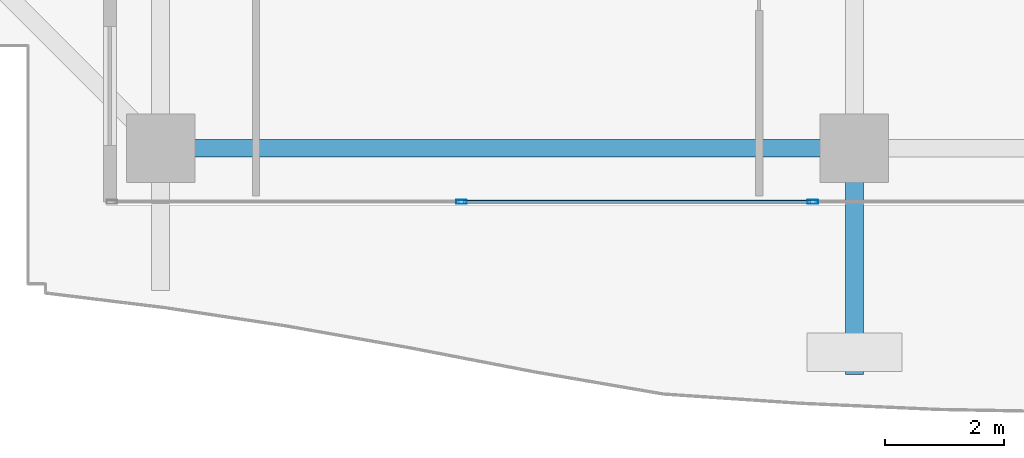
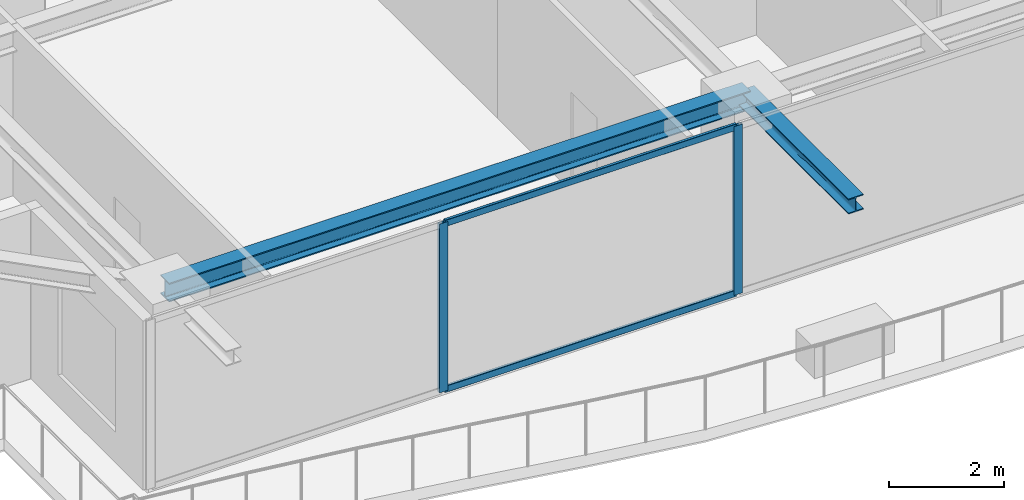
# One storey, part 5 of 36: 4 members, 2 beams, 1 element without a shape of its own.
"""IFC4 building model written with IfcOpenShell, lengths in metres."""

from ifc_helpers import new_model, si_unit, direction, frame, origin, origin_2d, place, context, subcontext, project, spatial, hollow_rectangle, i_section, extrude, source, transform, mapped, material, layer, layer_set, material_profile, profile_set, type_object, element, aggregate, save


model = new_model("IFC4")

# Units and contexts
model_context = context("Model", 3, precision=1e-05, world=origin(), true_north=direction((0.0, 1.0)))
body_context = subcontext(model_context, "Body", "Model", "MODEL_VIEW")
ifc_project = project(units=[si_unit("LENGTHUNIT", "METRE"), si_unit("AREAUNIT", "SQUARE_METRE"), si_unit("VOLUMEUNIT", "CUBIC_METRE"), si_unit("PLANEANGLEUNIT", "RADIAN"), si_unit("MASSUNIT", "GRAM", prefix="KILO")], contexts=[model_context])

# Site, building, storey
site_placement = place(None, origin())
site = spatial("IfcSite", under=ifc_project, at=site_placement, CompositionType="ELEMENT")
building_placement = place(site_placement, origin())
building = spatial("IfcBuilding", under=site, at=building_placement, Name="Serunith Strait Residences", CompositionType="ELEMENT")
storey_placement = place(building_placement, frame((0.0, 0.0, 225.85009765625)))
storey = spatial("IfcBuildingStorey", under=building, at=storey_placement, Name="L56", CompositionType="ELEMENT", Elevation=225.85009765625)

# Beams
ifc_material_1 = material(Name="Steel S355J2", Category="steel")
ifc_material_profile_1 = material_profile(ifc_material_1, i_section(OverallWidth=0.300048828125, OverallDepth=0.39990234375, WebThickness=0.013427734375, FlangeThickness=0.02392578125, FilletRadius=0.027099609375, at=origin_2d()), Name="HEB 400")
ifc_profile_set_1 = profile_set([ifc_material_profile_1], Name="Steel S355J2")
beam_type_1 = type_object("IfcBeamType", Name="BM-HEB400", PredefinedType="BEAM", material=ifc_profile_set_1)
shared_shape_1 = source(origin(), body_context, "Body", "SweptSolid", [
    extrude(i_section(OverallWidth=0.300048828125, OverallDepth=0.39990234375, WebThickness=0.013427734375, FlangeThickness=0.02392578125, FilletRadius=0.027099609375, at=origin_2d()), origin(), (0.0, 0.0, 1.0), 11.64990234375),
])
beam_1_placement = place(storey_placement, frame((16.25, 2.10009765625, 3.386962890625), z_axis=(1.0, 0.0, 0.0), x_axis=(0.0, 1.0, 0.0)))
element("IfcBeam", 1, at=beam_1_placement, inside=storey, type_object=beam_type_1, Name="L56 Perimeter Ring Beam 01", PredefinedType="BEAM", context=body_context, shape_type="MappedRepresentation", body=[
    mapped(shared_shape_1, transform((0.0, 0.0, 0.0), scale=1.0)),
])
ifc_material_profile_2 = material_profile(ifc_material_1, i_section(OverallWidth=0.300048828125, OverallDepth=0.320068359375, WebThickness=0.011474609375, FlangeThickness=0.0205078125, FilletRadius=0.027099609375, at=origin_2d()), Name="HEB 320")
ifc_profile_set_2 = profile_set([ifc_material_profile_2], Name="Steel S355J2")
beam_type_2 = type_object("IfcBeamType", Name="BM-HEB320", PredefinedType="BEAM", material=ifc_profile_set_2)
shared_shape_2 = source(origin(), body_context, "Body", "SweptSolid", [
    extrude(i_section(OverallWidth=0.300048828125, OverallDepth=0.320068359375, WebThickness=0.011474609375, FlangeThickness=0.0205078125, FilletRadius=0.027099609375, at=origin_2d()), origin(), (0.0, 0.0, 1.0), 3.800048828125),
])
beam_2_placement = place(storey_placement, frame((27.89990234375, 2.10009765625, 3.39697265625), z_axis=(0.0, -1.0, 0.0), x_axis=(1.0, 0.0, 0.0)))
element("IfcBeam", 2, at=beam_2_placement, inside=storey, type_object=beam_type_2, Name="L57 Cantilevered Balcony Rib TC-S2", PredefinedType="BEAM", context=body_context, shape_type="MappedRepresentation", body=[
    mapped(shared_shape_2, transform((0.0, 0.0, 0.0), scale=1.0)),
])

# Curtain wall, members
ifc_material_2 = material(Name="Pale-Champagne Anodised Aluminium", Category="aluminium")
ifc_layer = layer(ifc_material_2, 0.199951171875, Name="Pale-Champagne Anodised Aluminium")
ifc_layer_set = layer_set([ifc_layer], Name="Pale-Champagne Anodised Aluminium")
curtain_wall_type = type_object("IfcCurtainWallType", Name="CW-SYS4", PredefinedType="NOTDEFINED", material=ifc_layer_set)
curtain_wall_placement = place(storey_placement, origin())
curtain_wall = element("IfcCurtainWall", 3, at=curtain_wall_placement, inside=storey, type_object=curtain_wall_type, Name="L56 S Unitised Fritted Curtain Wall", PredefinedType="NOTDEFINED")
ifc_material_profile_3 = material_profile(ifc_material_2, hollow_rectangle(XDim=0.06494140625, YDim=0.179931640625, WallThickness=0.00341796875, InnerFilletRadius=0.00537109375, OuterFilletRadius=0.0087890625, at=origin_2d()), Name="ALU 180x65x3.5")
ifc_profile_set_3 = profile_set([ifc_material_profile_3], Name="Pale-Champagne Anodised Aluminium")
member_type_1 = type_object("IfcMemberType", Name="CW-SYS4-MULL", PredefinedType="MULLION", material=ifc_profile_set_3)
shared_shape_3 = source(origin(), body_context, "Body", "SweptSolid", [
    extrude(hollow_rectangle(XDim=0.06494140625, YDim=0.179931640625, WallThickness=0.00341796875, InnerFilletRadius=0.00537109375, OuterFilletRadius=0.0087890625, at=origin_2d()), origin(), (0.0, 0.0, 1.0), 3.574951171875),
])
member_1_placement = place(storey_placement, frame((21.300048828125, 1.199951171875, 0.0), z_axis=(0.0, 0.0, 1.0), x_axis=(0.0, 1.0, 0.0)))
member_1 = element("IfcMember", 4, at=member_1_placement, type_object=member_type_1, Name="CW-4 mullion 2", PredefinedType="MULLION", context=body_context, shape_type="MappedRepresentation", body=[
    mapped(shared_shape_3, transform((0.0, 0.0, 0.0), scale=1.0)),
])
member_2_placement = place(storey_placement, frame((27.199951171875, 1.199951171875, 0.0), z_axis=(0.0, 0.0, 1.0), x_axis=(0.0, 1.0, 0.0)))
member_2 = element("IfcMember", 5, at=member_2_placement, type_object=member_type_1, Name="CW-4 mullion 3", PredefinedType="MULLION", context=body_context, shape_type="MappedRepresentation", body=[
    mapped(shared_shape_3, transform((0.0, 0.0, 0.0), scale=1.0)),
])
ifc_material_profile_4 = material_profile(ifc_material_2, hollow_rectangle(XDim=0.06005859375, YDim=0.139892578125, WallThickness=0.00341796875, InnerFilletRadius=0.00537109375, OuterFilletRadius=0.0087890625, at=origin_2d()), Name="ALU 140x60x3.5")
ifc_profile_set_4 = profile_set([ifc_material_profile_4], Name="Pale-Champagne Anodised Aluminium")
member_type_2 = type_object("IfcMemberType", Name="CW-SYS4-TRAN", PredefinedType="USERDEFINED", material=ifc_profile_set_4)
shared_shape_4 = source(origin(), body_context, "Body", "SweptSolid", [
    extrude(hollow_rectangle(XDim=0.06005859375, YDim=0.139892578125, WallThickness=0.00341796875, InnerFilletRadius=0.00537109375, OuterFilletRadius=0.0087890625, at=origin_2d()), origin(), (0.0, 0.0, 1.0), 5.8349609375),
])
member_3_placement = place(storey_placement, frame((21.33251953125, 1.199951171875, 0.02978515625), z_axis=(1.0, 0.0, 0.0), x_axis=(0.0, 1.0, 0.0)))
member_3 = element("IfcMember", 6, at=member_3_placement, type_object=member_type_2, Name="CW-4 transom 2.1", ObjectType="TRANSOM", PredefinedType="USERDEFINED", context=body_context, shape_type="MappedRepresentation", body=[
    mapped(shared_shape_4, transform((0.0, 0.0, 0.0), scale=1.0)),
])
member_4_placement = place(storey_placement, frame((21.33251953125, 1.199951171875, 3.544921875), z_axis=(1.0, 0.0, 0.0), x_axis=(0.0, 1.0, 0.0)))
member_4 = element("IfcMember", 7, at=member_4_placement, type_object=member_type_2, Name="CW-4 transom 2.2", ObjectType="TRANSOM", PredefinedType="USERDEFINED", context=body_context, shape_type="MappedRepresentation", body=[
    mapped(shared_shape_4, transform((0.0, 0.0, 0.0), scale=1.0)),
])
aggregate(curtain_wall, [member_1, member_2, member_3, member_4])

save(model, "model.ifc")
